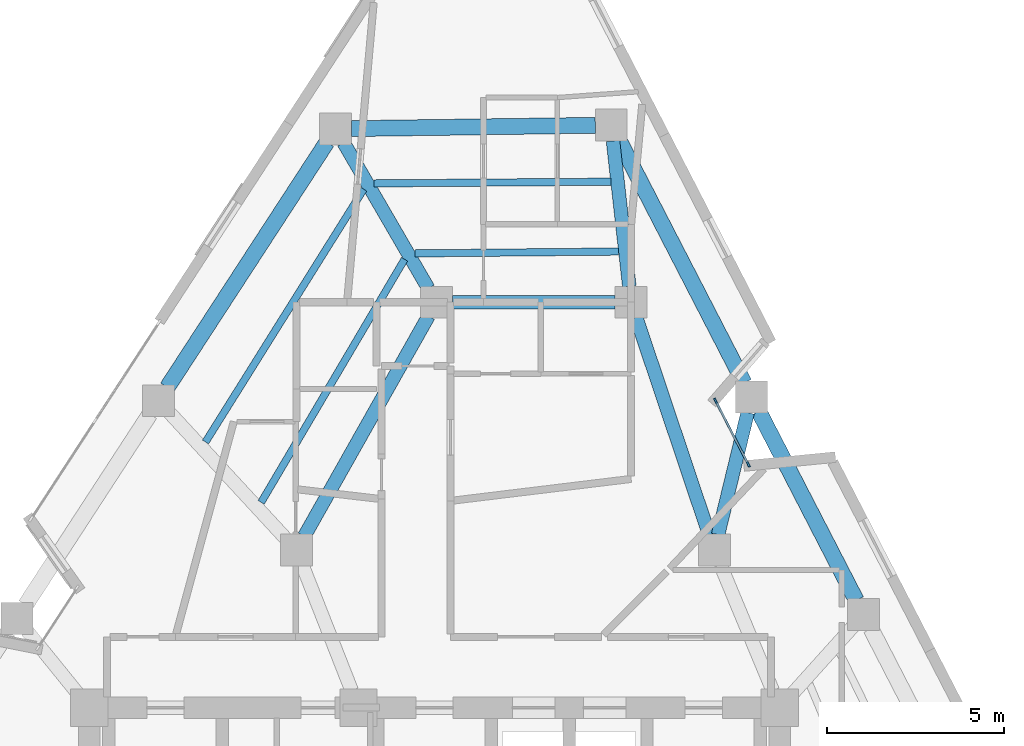
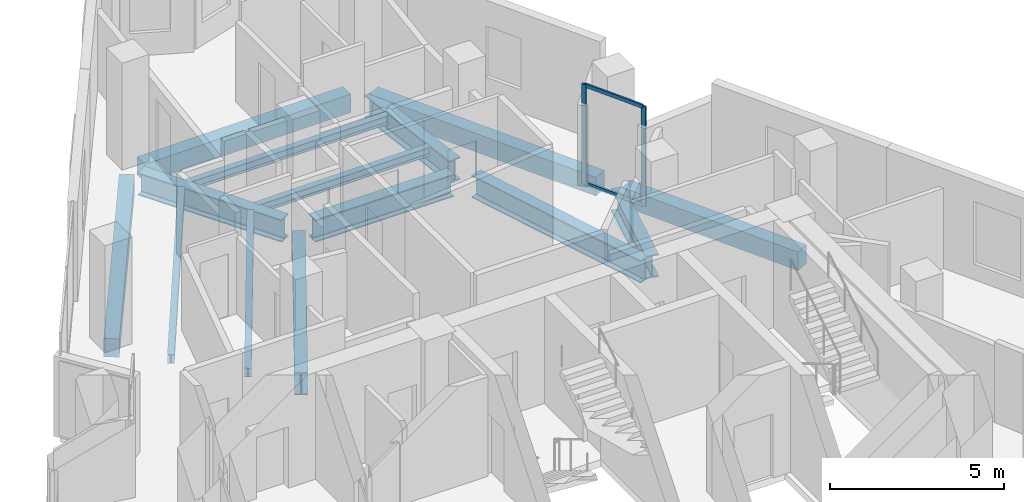
# One storey, part 3 of 9: 14 beams, 4 members, 1 element without a shape of its own.
"""IFC4 building model written with IfcOpenShell, lengths in metres."""

from ifc_helpers import new_model, si_unit, direction, frame, origin, origin_2d, place, context, subcontext, project, spatial, rectangle, i_section, extrude, material, layer, layer_set, material_profile, profile_set, type_object, element, aggregate, save


model = new_model("IFC4")

# Units and contexts
model_context = context("Model", 3, precision=1e-05, world=origin(), true_north=direction((0.0, 1.0)))
body_context = subcontext(model_context, "Body", "Model", "MODEL_VIEW")
ifc_project = project(units=[si_unit("LENGTHUNIT", "METRE"), si_unit("AREAUNIT", "SQUARE_METRE"), si_unit("VOLUMEUNIT", "CUBIC_METRE"), si_unit("PLANEANGLEUNIT", "RADIAN"), si_unit("MASSUNIT", "GRAM", prefix="KILO")], contexts=[model_context])

# Site, building, storey
site_placement = place(None, origin())
site = spatial("IfcSite", under=ifc_project, at=site_placement, CompositionType="ELEMENT")
building_placement = place(site_placement, origin())
building = spatial("IfcBuilding", under=site, at=building_placement, Name="Almagre Mirador Tower", CompositionType="ELEMENT")
storey_placement = place(building_placement, frame((0.0, 0.0, 214.5)))
storey = spatial("IfcBuildingStorey", under=building, at=storey_placement, Name="L55", CompositionType="ELEMENT", Elevation=214.5)

# Beams
ifc_material_1 = material(Name="Steel ASTM A992 Grade 50", Category="steel")
ifc_material_profile_1 = material_profile(ifc_material_1, i_section(OverallWidth=0.205078125, OverallDepth=0.31005859375, WebThickness=0.009521484375, FlangeThickness=0.016357421875, FilletRadius=0.013916015625, at=origin_2d()), Name="W12X50")
ifc_profile_set_1 = profile_set([ifc_material_profile_1], Name="Steel ASTM A992 Grade 50")
beam_type_1 = type_object("IfcBeamType", Name="BM-JST-W12X50", PredefinedType="JOIST", material=ifc_profile_set_1)
beam_1_placement = place(storey_placement, frame((42.276123046875, 29.603271484375, -0.405029296875), z_axis=(-0.999974882537, -0.007087615623, 0.0), x_axis=(0.007087615623, -0.999974882537, 0.0)))
element("IfcBeam", 1, at=beam_1_placement, inside=storey, type_object=beam_type_1, Name="L55 secondary floor joist PC08-PC09.1", PredefinedType="JOIST", context=body_context, shape_type="SweptSolid", body=[
    extrude(i_section(OverallWidth=0.205078125, OverallDepth=0.31005859375, WebThickness=0.009521484375, FlangeThickness=0.016357421875, FilletRadius=0.013916015625, at=origin_2d()), origin(), (0.0, 0.0, 1.0), 6.6826171875),
])
beam_2_placement = place(storey_placement, frame((42.497314453125, 27.63134765625, -0.405029296875), z_axis=(-0.999959183472, -0.009035009166, 0.0), x_axis=(0.009035009166, -0.999959183472, 0.0)))
element("IfcBeam", 2, at=beam_2_placement, inside=storey, type_object=beam_type_1, Name="L55 secondary floor joist PC08-PC09.3", PredefinedType="JOIST", context=body_context, shape_type="SweptSolid", body=[
    extrude(i_section(OverallWidth=0.205078125, OverallDepth=0.31005859375, WebThickness=0.009521484375, FlangeThickness=0.016357421875, FilletRadius=0.013916015625, at=origin_2d()), origin(), (0.0, 0.0, 1.0), 5.755615234375),
])
beam_3_placement = place(storey_placement, frame((35.2998046875, 29.391845703125, -0.405029296875), z_axis=(-0.530491384924, -0.847690327019, 0.0), x_axis=(0.847690327019, -0.530491384924, 0.0)))
element("IfcBeam", 3, at=beam_3_placement, inside=storey, type_object=beam_type_1, Name="L55 secondary floor joist PC09-PC10.1", PredefinedType="JOIST", context=body_context, shape_type="SweptSolid", body=[
    extrude(i_section(OverallWidth=0.205078125, OverallDepth=0.31005859375, WebThickness=0.009521484375, FlangeThickness=0.016357421875, FilletRadius=0.013916015625, at=origin_2d()), origin(), (0.0, 0.0, 1.0), 8.421142578125),
])
beam_4_placement = place(storey_placement, frame((36.452392578125, 27.412109375, -0.405029296875), z_axis=(-0.508060215772, -0.861321552702, 0.0), x_axis=(0.861321552702, -0.508060215772, 0.0)))
element("IfcBeam", 4, at=beam_4_placement, inside=storey, type_object=beam_type_1, Name="L55 secondary floor joist PC09-PC10.3", PredefinedType="JOIST", context=body_context, shape_type="SweptSolid", body=[
    extrude(i_section(OverallWidth=0.205078125, OverallDepth=0.31005859375, WebThickness=0.009521484375, FlangeThickness=0.016357421875, FilletRadius=0.013916015625, at=origin_2d()), origin(), (0.0, 0.0, 1.0), 7.9677734375),
])
ifc_material_2 = material(Name="Precast concrete C50/60", Category="concrete")
ifc_material_profile_2 = material_profile(ifc_material_2, rectangle(XDim=0.449951171875, YDim=0.64990234375, at=origin_2d()), Name="RC450X650")
ifc_profile_set_2 = profile_set([ifc_material_profile_2], Name="Precast concrete C50/60")
beam_type_2 = type_object("IfcBeamType", Name="BM-SPN-RC450X650", PredefinedType="SPANDREL", material=ifc_profile_set_2)
beam_5_placement = place(storey_placement, frame((49.210693359375, 17.778076171875, -0.574951171875), z_axis=(-0.458304670179, 0.888795155979, 0.0), x_axis=(-0.888795155979, -0.458304670179, 0.0)))
element("IfcBeam", 5, at=beam_5_placement, inside=storey, type_object=beam_type_2, Name="L55 perimeter spandrel beam PC06-PC07", PredefinedType="SPANDREL", context=body_context, shape_type="SweptSolid", body=[
    extrude(rectangle(XDim=0.449951171875, YDim=0.64990234375, at=origin_2d()), origin(), (0.0, 0.0, 1.0), 6.0126953125),
])
beam_6_placement = place(storey_placement, frame((46.042724609375, 23.922119140625, -0.574951171875), z_axis=(-0.45830626259, 0.888794334855, 0.0), x_axis=(-0.888794334855, -0.45830626259, 0.0)))
element("IfcBeam", 6, at=beam_6_placement, inside=storey, type_object=beam_type_2, Name="L55 perimeter spandrel beam PC07-PC08", PredefinedType="SPANDREL", context=body_context, shape_type="SweptSolid", body=[
    extrude(rectangle(XDim=0.449951171875, YDim=0.64990234375, at=origin_2d()), origin(), (0.0, 0.0, 1.0), 7.74072265625),
])
beam_7_placement = place(storey_placement, frame((41.839111328125, 31.19580078125, -0.574951171875), z_axis=(-0.999909177083, -0.013477298879, 0.0), x_axis=(0.013477298879, -0.999909177083, 0.0)))
element("IfcBeam", 7, at=beam_7_placement, inside=storey, type_object=beam_type_2, Name="L55 perimeter spandrel beam PC08-PC09", PredefinedType="SPANDREL", context=body_context, shape_type="SweptSolid", body=[
    extrude(rectangle(XDim=0.449951171875, YDim=0.64990234375, at=origin_2d()), origin(), (0.0, 0.0, 1.0), 6.8837890625),
])
beam_8_placement = place(storey_placement, frame((34.260498046875, 30.719970703125, -0.574951171875), z_axis=(-0.545607073801, -0.838041121317, 0.0), x_axis=(0.838041121317, -0.545607073801, 0.0)))
element("IfcBeam", 8, at=beam_8_placement, inside=storey, type_object=beam_type_2, Name="L55 perimeter spandrel beam PC09-PC10", PredefinedType="SPANDREL", context=body_context, shape_type="SweptSolid", body=[
    extrude(rectangle(XDim=0.449951171875, YDim=0.64990234375, at=origin_2d()), origin(), (0.0, 0.0, 1.0), 8.26416015625),
])
ifc_material_3 = material(Name="Steel ASTM A992 Grade 50", Category="steel")
ifc_material_profile_3 = material_profile(ifc_material_3, i_section(OverallWidth=0.384033203125, OverallDepth=0.784912109375, WebThickness=0.019775390625, FlangeThickness=0.033447265625, FilletRadius=0.02392578125, at=origin_2d()), Name="W30X211")
ifc_profile_set_3 = profile_set([ifc_material_profile_3], Name="Steel ASTM A992 Grade 50")
beam_type_3 = type_object("IfcBeamType", Name="BM-STL-W30X211", PredefinedType="BEAM", material=ifc_profile_set_3)
beam_9_placement = place(storey_placement, frame((37.800048828125, 26.199951171875, -0.642578125), z_axis=(1.0, 0.0, 0.0), x_axis=(0.0, 1.0, 0.0)))
element("IfcBeam", 9, at=beam_9_placement, inside=storey, type_object=beam_type_3, Name="L55 core tie girder MC7-MC6", PredefinedType="BEAM", context=body_context, shape_type="SweptSolid", body=[
    extrude(i_section(OverallWidth=0.384033203125, OverallDepth=0.784912109375, WebThickness=0.019775390625, FlangeThickness=0.033447265625, FilletRadius=0.02392578125, at=origin_2d()), origin(), (0.0, 0.0, 1.0), 4.599853515625),
])
beam_10_placement = place(storey_placement, frame((42.9931640625, 25.7734375, -0.642578125), z_axis=(0.318282890726, -0.947995781357, 0.0), x_axis=(0.947995781357, 0.318282890726, 0.0)))
element("IfcBeam", 10, at=beam_10_placement, inside=storey, type_object=beam_type_3, Name="L55 core tie girder MC6-MC5", PredefinedType="BEAM", context=body_context, shape_type="SweptSolid", body=[
    extrude(i_section(OverallWidth=0.384033203125, OverallDepth=0.784912109375, WebThickness=0.019775390625, FlangeThickness=0.033447265625, FilletRadius=0.02392578125, at=origin_2d()), origin(), (0.0, 0.0, 1.0), 6.48388671875),
])
beam_11_placement = place(storey_placement, frame((37.12890625, 25.80810546875, -0.642578125), z_axis=(-0.491446261843, -0.870907900825, 0.0), x_axis=(0.870907900825, -0.491446261843, 0.0)))
element("IfcBeam", 11, at=beam_11_placement, inside=storey, type_object=beam_type_3, Name="L55 core tie girder MC7-MC8", PredefinedType="BEAM", context=body_context, shape_type="SweptSolid", body=[
    extrude(i_section(OverallWidth=0.384033203125, OverallDepth=0.784912109375, WebThickness=0.019775390625, FlangeThickness=0.033447265625, FilletRadius=0.02392578125, at=origin_2d()), origin(), (0.0, 0.0, 1.0), 7.1376953125),
])
beam_12_placement = place(storey_placement, frame((46.142822265625, 23.084716796875, -0.642578125), z_axis=(-0.235842287006, -0.971791343684, 0.0), x_axis=(0.971791343684, -0.235842287006, 0.0)))
element("IfcBeam", 12, at=beam_12_placement, inside=storey, type_object=beam_type_3, Name="L55 radial floor girder PC07-MC5", PredefinedType="BEAM", context=body_context, shape_type="SweptSolid", body=[
    extrude(i_section(OverallWidth=0.384033203125, OverallDepth=0.784912109375, WebThickness=0.019775390625, FlangeThickness=0.033447265625, FilletRadius=0.02392578125, at=origin_2d()), origin(), (0.0, 0.0, 1.0), 3.547607421875),
])
beam_13_placement = place(storey_placement, frame((42.339111328125, 30.7548828125, -0.642578125), z_axis=(0.111455741765, -0.993769398617, 0.0), x_axis=(0.993769398617, 0.111455741765, 0.0)))
element("IfcBeam", 13, at=beam_13_placement, inside=storey, type_object=beam_type_3, Name="L55 radial floor girder PC08-MC6", PredefinedType="BEAM", context=body_context, shape_type="SweptSolid", body=[
    extrude(i_section(OverallWidth=0.384033203125, OverallDepth=0.784912109375, WebThickness=0.019775390625, FlangeThickness=0.033447265625, FilletRadius=0.02392578125, at=origin_2d()), origin(), (0.0, 0.0, 1.0), 4.13330078125),
])
beam_14_placement = place(storey_placement, frame((34.73193359375, 30.7080078125, -0.642578125), z_axis=(0.502209707608, -0.864745864161, 0.0), x_axis=(0.864745864161, 0.502209707608, 0.0)))
element("IfcBeam", 14, at=beam_14_placement, inside=storey, type_object=beam_type_3, Name="L55 radial floor girder PC09-MC7", PredefinedType="BEAM", context=body_context, shape_type="SweptSolid", body=[
    extrude(i_section(OverallWidth=0.384033203125, OverallDepth=0.784912109375, WebThickness=0.019775390625, FlangeThickness=0.033447265625, FilletRadius=0.02392578125, at=origin_2d()), origin(), (0.0, 0.0, 1.0), 4.76318359375),
])

# Curtain wall, members
ifc_material_4 = material(Name="Black anodized aluminium", Category="aluminium")
ifc_layer = layer(ifc_material_4, 0.169921875)
ifc_layer_set = layer_set([ifc_layer], Name="Black anodized aluminium")
curtain_wall_type = type_object("IfcCurtainWallType", Name="CW-CRS-SYS", PredefinedType="NOTDEFINED", material=ifc_layer_set)
curtain_wall_placement = place(storey_placement, origin())
curtain_wall = element("IfcCurtainWall", 15, at=curtain_wall_placement, inside=storey, type_object=curtain_wall_type, Name="L55 vertical crease curtain wall 03", PredefinedType="NOTDEFINED")
ifc_material_5 = material(Name="Black anodized aluminium", Category="aluminium")
ifc_material_profile_4 = material_profile(ifc_material_5, rectangle(XDim=0.06005859375, YDim=0.14990234375, at=origin_2d()), Name="CWM60X150")
ifc_profile_set_4 = profile_set([ifc_material_profile_4], Name="Black anodized aluminium")
member_type_1 = type_object("IfcMemberType", Name="MBR-CWM60X150", PredefinedType="MULLION", material=ifc_profile_set_4)
member_1_placement = place(storey_placement, frame((45.232666015625, 23.42041015625, 0.0), z_axis=(0.0, 0.0, 1.0), x_axis=(0.888809256499, 0.458277323858, 0.0)))
member_1 = element("IfcMember", 16, at=member_1_placement, type_object=member_type_1, Name="CW-4 mullion 1", PredefinedType="MULLION", context=body_context, shape_type="SweptSolid", body=[
    extrude(rectangle(XDim=0.06005859375, YDim=0.14990234375, at=origin_2d()), origin(), (0.0, 0.0, 1.0), 3.5),
])
member_2_placement = place(storey_placement, frame((46.163330078125, 21.61572265625, 0.0), z_axis=(0.0, 0.0, 1.0), x_axis=(0.888809256499, 0.458277323858, 0.0)))
member_2 = element("IfcMember", 17, at=member_2_placement, type_object=member_type_1, Name="CW-4 mullion 2", PredefinedType="MULLION", context=body_context, shape_type="SweptSolid", body=[
    extrude(rectangle(XDim=0.06005859375, YDim=0.14990234375, at=origin_2d()), origin(), (0.0, 0.0, 1.0), 3.5),
])
ifc_material_6 = material(Name="Black anodized aluminium", Category="aluminium")
ifc_material_profile_5 = material_profile(ifc_material_6, rectangle(XDim=0.06005859375, YDim=0.1298828125, at=origin_2d()), Name="CWT60X130")
ifc_profile_set_5 = profile_set([ifc_material_profile_5], Name="Black anodized aluminium")
member_type_2 = type_object("IfcMemberType", Name="MBR-CWT60X130", PredefinedType="USERDEFINED", material=ifc_profile_set_5)
member_3_placement = place(storey_placement, frame((45.24658203125, 23.3935546875, 0.030029296875), z_axis=(0.458232540668, -0.88883234565, 0.0), x_axis=(0.88883234565, 0.458232540668, 0.0)))
member_3 = element("IfcMember", 18, at=member_3_placement, type_object=member_type_2, Name="CW-4 transom 1.1", ObjectType="TRANSOM", PredefinedType="USERDEFINED", context=body_context, shape_type="SweptSolid", body=[
    extrude(rectangle(XDim=0.06005859375, YDim=0.1298828125, at=origin_2d()), origin(), (0.0, 0.0, 1.0), 1.97021484375),
])
member_4_placement = place(storey_placement, frame((45.24658203125, 23.3935546875, 3.469970703125), z_axis=(0.458232540668, -0.88883234565, 0.0), x_axis=(0.88883234565, 0.458232540668, 0.0)))
member_4 = element("IfcMember", 19, at=member_4_placement, type_object=member_type_2, Name="CW-4 transom 1.2", ObjectType="TRANSOM", PredefinedType="USERDEFINED", context=body_context, shape_type="SweptSolid", body=[
    extrude(rectangle(XDim=0.06005859375, YDim=0.1298828125, at=origin_2d()), origin(), (0.0, 0.0, 1.0), 1.97021484375),
])
aggregate(curtain_wall, [member_1, member_2, member_3, member_4])

save(model, "model.ifc")
